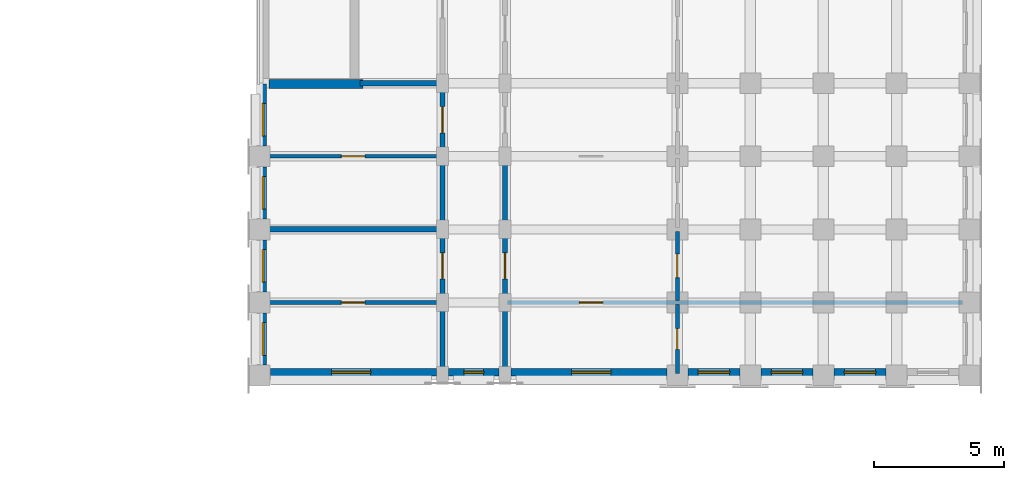
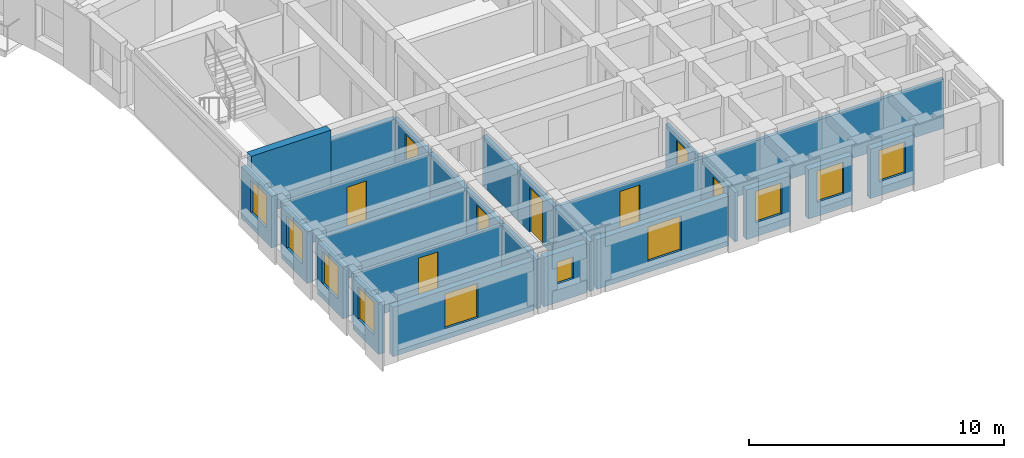
# One storey, part 31 of 54: 25 walls, 10 windows, 8 doors, 18 openings.
"""IFC4 building model written with IfcOpenShell, lengths in metres."""

from ifc_helpers import new_model, si_unit, direction, frame, frame_2d, origin, place, context, subcontext, project, spatial, rectangle, extrude, material, layer, layer_set, type_object, element, fill, save


model = new_model("IFC4")

# Units and contexts
model_context = context("Model", 3, precision=1e-05, world=origin(), true_north=direction((0.0, 1.0)))
body_context = subcontext(model_context, "Body", "Model", "MODEL_VIEW")
ifc_project = project(units=[si_unit("LENGTHUNIT", "METRE"), si_unit("AREAUNIT", "SQUARE_METRE"), si_unit("VOLUMEUNIT", "CUBIC_METRE"), si_unit("PLANEANGLEUNIT", "RADIAN"), si_unit("MASSUNIT", "GRAM", prefix="KILO")], contexts=[model_context])

# Site, building, storey
site_placement = place(None, origin())
site = spatial("IfcSite", under=ifc_project, at=site_placement, CompositionType="ELEMENT")
building_placement = place(site_placement, origin())
building = spatial("IfcBuilding", under=site, at=building_placement, Name="Kiranvali Square Residences", CompositionType="ELEMENT")
storey_placement = place(building_placement, frame((0.0, 0.0, 11.85009765625)))
storey = spatial("IfcBuildingStorey", under=building, at=storey_placement, Name="L03", CompositionType="ELEMENT", Elevation=11.85009765625)

# Wall, opening, door
ifc_material_1 = material(Name="Autoclaved aerated concrete blockwork masonry", Category="masonry")
ifc_layer_1 = layer(ifc_material_1, 0.199951171875)
ifc_layer_set_1 = layer_set([ifc_layer_1], Name="Autoclaved aerated concrete blockwork masonry")
wall_type_1 = type_object("IfcWallType", Name="WL-COR-200", PredefinedType="STANDARD", material=ifc_layer_set_1)
wall_1_placement = place(storey_placement, frame((145.60009765625, 79.39990234375, 0.0), z_axis=(0.0, 0.0, 1.0), x_axis=(0.0, -1.0, 0.0)))
wall_1 = element("IfcWall", 1, at=wall_1_placement, inside=storey, type_object=wall_type_1, Name="L03 architectural wall WL-L03-B-A2CI-0", PredefinedType="STANDARD", context=body_context, shape_type="SweptSolid", body=[
    extrude(rectangle(XDim=2.7998046875, YDim=0.199951171875, at=frame_2d((1.39990234375, 0.0))), origin(), (0.0, 0.0, 1.0), 2.371826171875),
])
opening_1_placement = place(wall_1_placement, frame((0.89990234375, 0.0, 0.0)))
opening_1 = element("IfcOpeningElement", 2, at=opening_1_placement, cuts=wall_1, Name="Opening FD-APT-60", PredefinedType="OPENING", context=body_context, shape_type="SweptSolid", body=[
    extrude(rectangle(XDim=1.0, YDim=2.14990234375, at=frame_2d((0.5, 1.074951171875))), frame((0.0, 0.10986328125, 0.0), z_axis=(0.0, -1.0, 0.0), x_axis=(1.0, 0.0, 0.0)), (0.0, 0.0, 1.0), 0.219970703125),
])
ifc_material_2 = material(Name="Fire-rated acoustic hardwood and mineral-core door assembly", Category="wood")
door_type_1 = type_object("IfcDoorType", Name="DR-APT-1000", OperationType="NOTDEFINED", PredefinedType="DOOR", material=ifc_material_2)
door_1_placement = place(opening_1_placement, origin())
door_1 = element("IfcDoor", 3, at=door_1_placement, inside=storey, type_object=door_type_1, Name="L03 door DR-L03-1183 (DR-APT-1000)", OperationType="SINGLE_SWING_LEFT", OverallHeight=2.14990234375, OverallWidth=1.0, PredefinedType="DOOR", context=body_context, shape_type="SweptSolid", body=[
    extrude(rectangle(XDim=1.0, YDim=2.14990234375, at=frame_2d((0.5, 1.074951171875))), frame((0.0, 0.02490234375, 0.0), z_axis=(0.0, -1.0, 0.0), x_axis=(1.0, 0.0, 0.0)), (0.0, 0.0, 1.0), 0.050048828125),
])
fill(opening_1, door_1)

# Walls
for number, where, z_axis, x_axis, name in (
    (4, (145.60009765625, 76.60009765625, 0.0), (0.0, 0.0, 1.0), (0.0, -1.0, 0.0), "L03 architectural wall WL-L03-B-A2CI-1"),
    (5, (148.0, 76.60009765625, 0.0), (0.0, 0.0, 1.0), (0.0, -1.0, 0.0), "L03 architectural wall WL-L03-B-A2CO-1"),
):
    element("IfcWall", number, at=place(storey_placement, frame(where, z_axis=z_axis, x_axis=x_axis)), inside=storey, type_object=wall_type_1, Name=name, PredefinedType="STANDARD", context=body_context, shape_type="SweptSolid", body=[
        extrude(rectangle(XDim=2.800048828125, YDim=0.199951171875, at=frame_2d((1.39990234375, 0.0))), origin(), (0.0, 0.0, 1.0), 2.371826171875),
    ])

# Wall, opening, door
wall_2_placement = place(storey_placement, frame((145.60009765625, 73.800048828125, 0.0), z_axis=(0.0, 0.0, 1.0), x_axis=(0.0, -1.0, 0.0)))
wall_2 = element("IfcWall", 6, at=wall_2_placement, inside=storey, type_object=wall_type_1, Name="L03 architectural wall WL-L03-B-A2CI-2", PredefinedType="STANDARD", context=body_context, shape_type="SweptSolid", body=[
    extrude(rectangle(XDim=2.800048828125, YDim=0.199951171875, at=frame_2d((1.39990234375, 0.0))), origin(), (0.0, 0.0, 1.0), 2.371826171875),
])
opening_2_placement = place(wall_2_placement, frame((0.89990234375, 0.0, 0.0)))
opening_2 = element("IfcOpeningElement", 7, at=opening_2_placement, cuts=wall_2, Name="Opening FD-APT-60", PredefinedType="OPENING", context=body_context, shape_type="SweptSolid", body=[
    extrude(rectangle(XDim=1.0, YDim=2.14990234375, at=frame_2d((0.5, 1.074951171875))), frame((0.0, 0.10986328125, 0.0), z_axis=(0.0, -1.0, 0.0), x_axis=(1.0, 0.0, 0.0)), (0.0, 0.0, 1.0), 0.219970703125),
])
door_2_placement = place(opening_2_placement, origin())
door_2 = element("IfcDoor", 8, at=door_2_placement, inside=storey, type_object=door_type_1, Name="L03 door DR-L03-1189 (DR-APT-1000)", OperationType="SINGLE_SWING_LEFT", OverallHeight=2.14990234375, OverallWidth=1.0, PredefinedType="DOOR", context=body_context, shape_type="SweptSolid", body=[
    extrude(rectangle(XDim=1.0, YDim=2.14990234375, at=frame_2d((0.5, 1.074951171875))), frame((0.0, 0.02490234375, 0.0), z_axis=(0.0, -1.0, 0.0), x_axis=(1.0, 0.0, 0.0)), (0.0, 0.0, 1.0), 0.050048828125),
])
fill(opening_2, door_2)

wall_3_placement = place(storey_placement, frame((148.0, 73.800048828125, 0.0), z_axis=(0.0, 0.0, 1.0), x_axis=(0.0, -1.0, 0.0)))
wall_3 = element("IfcWall", 9, at=wall_3_placement, inside=storey, type_object=wall_type_1, Name="L03 architectural wall WL-L03-B-A2CO-2", PredefinedType="STANDARD", context=body_context, shape_type="SweptSolid", body=[
    extrude(rectangle(XDim=2.800048828125, YDim=0.199951171875, at=frame_2d((1.39990234375, 0.0))), origin(), (0.0, 0.0, 1.0), 2.371826171875),
])
opening_3_placement = place(wall_3_placement, frame((0.89990234375, 0.0, 0.0)))
opening_3 = element("IfcOpeningElement", 10, at=opening_3_placement, cuts=wall_3, Name="Opening FD-APT-60", PredefinedType="OPENING", context=body_context, shape_type="SweptSolid", body=[
    extrude(rectangle(XDim=1.0, YDim=2.14990234375, at=frame_2d((0.5, 1.074951171875))), frame((0.0, 0.10986328125, 0.0), z_axis=(0.0, -1.0, 0.0), x_axis=(1.0, 0.0, 0.0)), (0.0, 0.0, 1.0), 0.219970703125),
])
door_3_placement = place(opening_3_placement, origin())
door_3 = element("IfcDoor", 11, at=door_3_placement, inside=storey, type_object=door_type_1, Name="L03 door DR-L03-1191 (DR-APT-1000)", OperationType="SINGLE_SWING_LEFT", OverallHeight=2.14990234375, OverallWidth=1.0, PredefinedType="DOOR", context=body_context, shape_type="SweptSolid", body=[
    extrude(rectangle(XDim=1.0, YDim=2.14990234375, at=frame_2d((0.5, 1.074951171875))), frame((0.0, 0.02490234375, 0.0), z_axis=(0.0, -1.0, 0.0), x_axis=(1.0, 0.0, 0.0)), (0.0, 0.0, 1.0), 0.050048828125),
])
fill(opening_3, door_3)

# Walls
for number, where, z_axis, x_axis, name in (
    (12, (145.60009765625, 71.0, 0.0), (0.0, 0.0, 1.0), (0.0, -1.0, 0.0), "L03 architectural wall WL-L03-B-A2CI-3"),
    (13, (148.0, 71.0, 0.0), (0.0, 0.0, 1.0), (0.0, -1.0, 0.0), "L03 architectural wall WL-L03-B-A2CO-3"),
):
    element("IfcWall", number, at=place(storey_placement, frame(where, z_axis=z_axis, x_axis=x_axis)), inside=storey, type_object=wall_type_1, Name=name, PredefinedType="STANDARD", context=body_context, shape_type="SweptSolid", body=[
        extrude(rectangle(XDim=2.800048828125, YDim=0.199951171875, at=frame_2d((1.39990234375, 0.0))), origin(), (0.0, 0.0, 1.0), 2.371826171875),
    ])
ifc_layer_2 = layer(ifc_material_1, 0.219970703125)
ifc_layer_set_2 = layer_set([ifc_layer_2], Name="Autoclaved aerated concrete blockwork masonry")
wall_type_2 = type_object("IfcWallType", Name="WL-DEM-220", PredefinedType="STANDARD", material=ifc_layer_set_2)
wall_4_placement = place(storey_placement, frame((142.449951171875, 79.39990234375, 0.0), z_axis=(0.0, 0.0, 1.0), x_axis=(1.0, 0.0, 0.0)))
element("IfcWall", 14, at=wall_4_placement, inside=storey, type_object=wall_type_2, Name="L03 architectural wall WL-L03-B-A2TI-0", PredefinedType="STANDARD", context=body_context, shape_type="SweptSolid", body=[
    extrude(rectangle(XDim=3.10009765625, YDim=0.219970703125, at=frame_2d((1.550048828125, 0.0))), origin(), (0.0, 0.0, 1.0), 2.371826171875),
])
wall_5_placement = place(storey_placement, frame((138.800048828125, 73.800048828125, 0.0), z_axis=(0.0, 0.0, 1.0), x_axis=(1.0, 0.0, 0.0)))
element("IfcWall", 15, at=wall_5_placement, inside=storey, type_object=wall_type_2, Name="L03 architectural wall WL-L03-B-A2TI-2", PredefinedType="STANDARD", context=body_context, shape_type="SweptSolid", body=[
    extrude(rectangle(XDim=6.75, YDim=0.219970703125, at=frame_2d((3.375, 0.0))), origin(), (0.0, 0.0, 1.0), 2.371826171875),
])

# Wall, opening, window
ifc_material_3 = material(Name="Breathable lime-rendered clay brick masonry", Category="masonry")
ifc_layer_3 = layer(ifc_material_3, 0.27490234375)
ifc_layer_set_3 = layer_set([ifc_layer_3], Name="Breathable lime-rendered clay brick masonry")
wall_type_3 = type_object("IfcWallType", Name="WL-EXT-275", PredefinedType="STANDARD", material=ifc_layer_set_3)
wall_6_placement = place(storey_placement, frame((138.72509765625, 79.37158203125, 0.0), z_axis=(0.0, 0.0, 1.0), x_axis=(0.0, -1.0, 0.0)))
wall_6 = element("IfcWall", 16, at=wall_6_placement, inside=storey, type_object=wall_type_3, Name="L03 exterior wall B-L03-A2I-0", PredefinedType="STANDARD", context=body_context, shape_type="SweptSolid", body=[
    extrude(rectangle(XDim=2.3681640625, YDim=0.27490234375, at=frame_2d((1.18408203125, 0.0))), origin(), (0.0, 0.0, 1.0), 2.471923828125),
])
opening_4_placement = place(wall_6_placement, frame((0.74658203125, 0.0, 0.721923828125)))
opening_4 = element("IfcOpeningElement", 17, at=opening_4_placement, cuts=wall_6, Name="Opening W-19", PredefinedType="OPENING", context=body_context, shape_type="SweptSolid", body=[
    extrude(rectangle(XDim=1.25, YDim=1.550048828125, at=frame_2d((0.625, 0.77490234375))), frame((0.0, 0.1474609375, 0.0), z_axis=(0.0, -1.0, 0.0), x_axis=(1.0, 0.0, 0.0)), (0.0, 0.0, 1.0), 0.294921875),
])
ifc_material_4 = material(Name="Solar-control low-e double glazing", Category="glass")
window_type_1 = type_object("IfcWindowType", Name="WIN-GDN-1250x1550", PartitioningType="SINGLE_PANEL", PredefinedType="WINDOW", material=ifc_material_4)
window_1_placement = place(opening_4_placement, origin())
window_1 = element("IfcWindow", 18, at=window_1_placement, inside=storey, type_object=window_type_1, Name="L03 recessed window B-L03-A2I-0", OverallHeight=1.550048828125, OverallWidth=1.25, PartitioningType="SINGLE_PANEL", PredefinedType="WINDOW", context=body_context, shape_type="SweptSolid", body=[
    extrude(rectangle(XDim=1.25, YDim=1.550048828125, at=frame_2d((0.625, 0.77490234375))), frame((0.0, 0.030029296875, 0.0), z_axis=(0.0, -1.0, 0.0), x_axis=(1.0, 0.0, 0.0)), (0.0, 0.0, 1.0), 0.06005859375),
])
fill(opening_4, window_1)

wall_7_placement = place(storey_placement, frame((138.72509765625, 76.196533203125, 0.0), z_axis=(0.0, 0.0, 1.0), x_axis=(0.0, -1.0, 0.0)))
wall_7 = element("IfcWall", 19, at=wall_7_placement, inside=storey, type_object=wall_type_3, Name="L03 exterior wall B-L03-A2I-1", PredefinedType="STANDARD", context=body_context, shape_type="SweptSolid", body=[
    extrude(rectangle(XDim=1.992919921875, YDim=0.27490234375, at=frame_2d((0.99658203125, 0.0))), origin(), (0.0, 0.0, 1.0), 2.471923828125),
])
opening_5_placement = place(wall_7_placement, frame((0.37158203125, 0.0, 0.721923828125)))
opening_5 = element("IfcOpeningElement", 20, at=opening_5_placement, cuts=wall_7, Name="Opening W-19", PredefinedType="OPENING", context=body_context, shape_type="SweptSolid", body=[
    extrude(rectangle(XDim=1.25, YDim=1.550048828125, at=frame_2d((0.625, 0.77490234375))), frame((0.0, 0.1474609375, 0.0), z_axis=(0.0, -1.0, 0.0), x_axis=(1.0, 0.0, 0.0)), (0.0, 0.0, 1.0), 0.294921875),
])
window_2_placement = place(opening_5_placement, origin())
window_2 = element("IfcWindow", 21, at=window_2_placement, inside=storey, type_object=window_type_1, Name="L03 recessed window B-L03-A2I-1", OverallHeight=1.550048828125, OverallWidth=1.25, PartitioningType="SINGLE_PANEL", PredefinedType="WINDOW", context=body_context, shape_type="SweptSolid", body=[
    extrude(rectangle(XDim=1.25, YDim=1.550048828125, at=frame_2d((0.625, 0.77490234375))), frame((0.0, 0.030029296875, 0.0), z_axis=(0.0, -1.0, 0.0), x_axis=(1.0, 0.0, 0.0)), (0.0, 0.0, 1.0), 0.06005859375),
])
fill(opening_5, window_2)

wall_8_placement = place(storey_placement, frame((138.72509765625, 73.396484375, 0.0), z_axis=(0.0, 0.0, 1.0), x_axis=(0.0, -1.0, 0.0)))
wall_8 = element("IfcWall", 22, at=wall_8_placement, inside=storey, type_object=wall_type_3, Name="L03 exterior wall B-L03-A2I-2", PredefinedType="STANDARD", context=body_context, shape_type="SweptSolid", body=[
    extrude(rectangle(XDim=1.992919921875, YDim=0.27490234375, at=frame_2d((0.99658203125, 0.0))), origin(), (0.0, 0.0, 1.0), 2.471923828125),
])
opening_6_placement = place(wall_8_placement, frame((0.37158203125, 0.0, 0.721923828125)))
opening_6 = element("IfcOpeningElement", 23, at=opening_6_placement, cuts=wall_8, Name="Opening W-19", PredefinedType="OPENING", context=body_context, shape_type="SweptSolid", body=[
    extrude(rectangle(XDim=1.25, YDim=1.550048828125, at=frame_2d((0.625, 0.77490234375))), frame((0.0, 0.1474609375, 0.0), z_axis=(0.0, -1.0, 0.0), x_axis=(1.0, 0.0, 0.0)), (0.0, 0.0, 1.0), 0.294921875),
])
window_3_placement = place(opening_6_placement, origin())
window_3 = element("IfcWindow", 24, at=window_3_placement, inside=storey, type_object=window_type_1, Name="L03 recessed window B-L03-A2I-2", OverallHeight=1.550048828125, OverallWidth=1.25, PartitioningType="SINGLE_PANEL", PredefinedType="WINDOW", context=body_context, shape_type="SweptSolid", body=[
    extrude(rectangle(XDim=1.25, YDim=1.550048828125, at=frame_2d((0.625, 0.77490234375))), frame((0.0, 0.030029296875, 0.0), z_axis=(0.0, -1.0, 0.0), x_axis=(1.0, 0.0, 0.0)), (0.0, 0.0, 1.0), 0.06005859375),
])
fill(opening_6, window_3)

wall_9_placement = place(storey_placement, frame((138.72509765625, 70.596435546875, 0.0), z_axis=(0.0, 0.0, 1.0), x_axis=(0.0, -1.0, 0.0)))
wall_9 = element("IfcWall", 25, at=wall_9_placement, inside=storey, type_object=wall_type_3, Name="L03 exterior wall B-L03-A2I-3", PredefinedType="STANDARD", context=body_context, shape_type="SweptSolid", body=[
    extrude(rectangle(XDim=1.992919921875, YDim=0.27490234375, at=frame_2d((0.99658203125, 0.0))), origin(), (0.0, 0.0, 1.0), 2.471923828125),
])
opening_7_placement = place(wall_9_placement, frame((0.37158203125, 0.0, 0.721923828125)))
opening_7 = element("IfcOpeningElement", 26, at=opening_7_placement, cuts=wall_9, Name="Opening W-19", PredefinedType="OPENING", context=body_context, shape_type="SweptSolid", body=[
    extrude(rectangle(XDim=1.25, YDim=1.550048828125, at=frame_2d((0.625, 0.77490234375))), frame((0.0, 0.1474609375, 0.0), z_axis=(0.0, -1.0, 0.0), x_axis=(1.0, 0.0, 0.0)), (0.0, 0.0, 1.0), 0.294921875),
])
window_4_placement = place(opening_7_placement, origin())
window_4 = element("IfcWindow", 27, at=window_4_placement, inside=storey, type_object=window_type_1, Name="L03 recessed window B-L03-A2I-3", OverallHeight=1.550048828125, OverallWidth=1.25, PartitioningType="SINGLE_PANEL", PredefinedType="WINDOW", context=body_context, shape_type="SweptSolid", body=[
    extrude(rectangle(XDim=1.25, YDim=1.550048828125, at=frame_2d((0.625, 0.77490234375))), frame((0.0, 0.030029296875, 0.0), z_axis=(0.0, -1.0, 0.0), x_axis=(1.0, 0.0, 0.0)), (0.0, 0.0, 1.0), 0.06005859375),
])
fill(opening_7, window_4)

wall_10_placement = place(storey_placement, frame((139.00341796875, 68.324951171875, 0.0), z_axis=(0.0, 0.0, 1.0), x_axis=(1.0, 0.0, 0.0)))
wall_10 = element("IfcWall", 28, at=wall_10_placement, inside=storey, type_object=wall_type_3, Name="L03 exterior wall B-L03-A2END-0", PredefinedType="STANDARD", context=body_context, shape_type="SweptSolid", body=[
    extrude(rectangle(XDim=6.3681640625, YDim=0.27490234375, at=frame_2d((3.18408203125, 0.0))), origin(), (0.0, 0.0, 1.0), 2.371826171875),
])
opening_8_placement = place(wall_10_placement, frame((2.346435546875, 0.0, 0.52197265625)))
opening_8 = element("IfcOpeningElement", 29, at=opening_8_placement, cuts=wall_10, Name="Opening W-05", PredefinedType="OPENING", context=body_context, shape_type="SweptSolid", body=[
    extrude(rectangle(XDim=1.5, YDim=1.64990234375, at=frame_2d((0.75, 0.824951171875))), frame((0.0, 0.1474609375, 0.0), z_axis=(0.0, -1.0, 0.0), x_axis=(1.0, 0.0, 0.0)), (0.0, 0.0, 1.0), 0.294921875),
])
window_type_2 = type_object("IfcWindowType", Name="WIN-RES-1500x1650", PartitioningType="DOUBLE_PANEL_VERTICAL", PredefinedType="WINDOW", material=ifc_material_4)
window_5_placement = place(opening_8_placement, origin())
window_5 = element("IfcWindow", 30, at=window_5_placement, inside=storey, type_object=window_type_2, Name="L03 recessed window B-L03-A2END-0", OverallHeight=1.64990234375, OverallWidth=1.5, PartitioningType="DOUBLE_PANEL_VERTICAL", PredefinedType="WINDOW", context=body_context, shape_type="SweptSolid", body=[
    extrude(rectangle(XDim=1.5, YDim=1.64990234375, at=frame_2d((0.75, 0.824951171875))), frame((0.0, 0.030029296875, 0.0), z_axis=(0.0, -1.0, 0.0), x_axis=(1.0, 0.0, 0.0)), (0.0, 0.0, 1.0), 0.06005859375),
])
fill(opening_8, window_5)

wall_11_placement = place(storey_placement, frame((145.82861328125, 68.324951171875, 0.0), z_axis=(0.0, 0.0, 1.0), x_axis=(1.0, 0.0, 0.0)))
wall_11 = element("IfcWall", 31, at=wall_11_placement, inside=storey, type_object=wall_type_3, Name="L03 exterior wall B-L03-A2END-1", PredefinedType="STANDARD", context=body_context, shape_type="SweptSolid", body=[
    extrude(rectangle(XDim=1.94287109375, YDim=0.27490234375, at=frame_2d((0.971435546875, 0.0))), origin(), (0.0, 0.0, 1.0), 2.371826171875),
])
opening_9_placement = place(wall_11_placement, frame((0.596435546875, 0.0, 0.8798828125)))
opening_9 = element("IfcOpeningElement", 32, at=opening_9_placement, cuts=wall_11, Name="Opening W-07", PredefinedType="OPENING", context=body_context, shape_type="SweptSolid", body=[
    extrude(rectangle(XDim=0.75, YDim=1.050048828125, at=frame_2d((0.375, 0.52490234375))), frame((0.0, 0.1474609375, 0.0), z_axis=(0.0, -1.0, 0.0), x_axis=(1.0, 0.0, 0.0)), (0.0, 0.0, 1.0), 0.294921875),
])
window_type_3 = type_object("IfcWindowType", Name="WIN-WET-750x1050", PartitioningType="SINGLE_PANEL", PredefinedType="WINDOW", material=ifc_material_4)
window_6_placement = place(opening_9_placement, origin())
window_6 = element("IfcWindow", 33, at=window_6_placement, inside=storey, type_object=window_type_3, Name="L03 recessed window B-L03-A2END-1", OverallHeight=1.050048828125, OverallWidth=0.75, PartitioningType="SINGLE_PANEL", PredefinedType="WINDOW", context=body_context, shape_type="SweptSolid", body=[
    extrude(rectangle(XDim=0.75, YDim=1.050048828125, at=frame_2d((0.375, 0.52490234375))), frame((0.0, 0.030029296875, 0.0), z_axis=(0.0, -1.0, 0.0), x_axis=(1.0, 0.0, 0.0)), (0.0, 0.0, 1.0), 0.06005859375),
])
fill(opening_9, window_6)

wall_12_placement = place(storey_placement, frame((148.228515625, 68.324951171875, 0.0), z_axis=(0.0, 0.0, 1.0), x_axis=(1.0, 0.0, 0.0)))
wall_12 = element("IfcWall", 34, at=wall_12_placement, inside=storey, type_object=wall_type_3, Name="L03 exterior wall B-L03-A2END-2", PredefinedType="STANDARD", context=body_context, shape_type="SweptSolid", body=[
    extrude(rectangle(XDim=5.968017578125, YDim=0.27490234375, at=frame_2d((2.98388671875, 0.0))), origin(), (0.0, 0.0, 1.0), 2.371826171875),
])
opening_10_placement = place(wall_12_placement, frame((2.321533203125, 0.0, 0.52197265625)))
opening_10 = element("IfcOpeningElement", 35, at=opening_10_placement, cuts=wall_12, Name="Opening W-05", PredefinedType="OPENING", context=body_context, shape_type="SweptSolid", body=[
    extrude(rectangle(XDim=1.5, YDim=1.64990234375, at=frame_2d((0.75, 0.824951171875))), frame((0.0, 0.1474609375, 0.0), z_axis=(0.0, -1.0, 0.0), x_axis=(1.0, 0.0, 0.0)), (0.0, 0.0, 1.0), 0.294921875),
])
window_7_placement = place(opening_10_placement, origin())
window_7 = element("IfcWindow", 36, at=window_7_placement, inside=storey, type_object=window_type_2, Name="L03 recessed window B-L03-A2END-2", OverallHeight=1.64990234375, OverallWidth=1.5, PartitioningType="DOUBLE_PANEL_VERTICAL", PredefinedType="WINDOW", context=body_context, shape_type="SweptSolid", body=[
    extrude(rectangle(XDim=1.5, YDim=1.64990234375, at=frame_2d((0.75, 0.824951171875))), frame((0.0, 0.030029296875, 0.0), z_axis=(0.0, -1.0, 0.0), x_axis=(1.0, 0.0, 0.0)), (0.0, 0.0, 1.0), 0.06005859375),
])
fill(opening_10, window_7)

wall_13_placement = place(storey_placement, frame((155.00341796875, 68.324951171875, 0.0), z_axis=(0.0, 0.0, 1.0), x_axis=(1.0, 0.0, 0.0)))
wall_13 = element("IfcWall", 37, at=wall_13_placement, inside=storey, type_object=wall_type_3, Name="L03 exterior wall B-L03-A2END-3", PredefinedType="STANDARD", context=body_context, shape_type="SweptSolid", body=[
    extrude(rectangle(XDim=1.9931640625, YDim=0.27490234375, at=frame_2d((0.99658203125, 0.0))), origin(), (0.0, 0.0, 1.0), 2.371826171875),
])
opening_11_placement = place(wall_13_placement, frame((0.396484375, 0.0, 0.672119140625)))
opening_11 = element("IfcOpeningElement", 38, at=opening_11_placement, cuts=wall_13, Name="Opening W-06", PredefinedType="OPENING", context=body_context, shape_type="SweptSolid", body=[
    extrude(rectangle(XDim=1.199951171875, YDim=1.5, at=frame_2d((0.60009765625, 0.75))), frame((0.0, 0.1474609375, 0.0), z_axis=(0.0, -1.0, 0.0), x_axis=(1.0, 0.0, 0.0)), (0.0, 0.0, 1.0), 0.294921875),
])
window_type_4 = type_object("IfcWindowType", Name="WIN-RES-1200x1500", PartitioningType="SINGLE_PANEL", PredefinedType="WINDOW", material=ifc_material_4)
window_8_placement = place(opening_11_placement, origin())
window_8 = element("IfcWindow", 39, at=window_8_placement, inside=storey, type_object=window_type_4, Name="L03 recessed window B-L03-A2END-3", OverallHeight=1.5, OverallWidth=1.199951171875, PartitioningType="SINGLE_PANEL", PredefinedType="WINDOW", context=body_context, shape_type="SweptSolid", body=[
    extrude(rectangle(XDim=1.199951171875, YDim=1.5, at=frame_2d((0.60009765625, 0.75))), frame((0.0, 0.030029296875, 0.0), z_axis=(0.0, -1.0, 0.0), x_axis=(1.0, 0.0, 0.0)), (0.0, 0.0, 1.0), 0.06005859375),
])
fill(opening_11, window_8)

wall_14_placement = place(storey_placement, frame((157.803466796875, 68.324951171875, 0.0), z_axis=(0.0, 0.0, 1.0), x_axis=(1.0, 0.0, 0.0)))
wall_14 = element("IfcWall", 40, at=wall_14_placement, inside=storey, type_object=wall_type_3, Name="L03 exterior wall B-L03-A2END-4", PredefinedType="STANDARD", context=body_context, shape_type="SweptSolid", body=[
    extrude(rectangle(XDim=1.992919921875, YDim=0.27490234375, at=frame_2d((0.99658203125, 0.0))), origin(), (0.0, 0.0, 1.0), 2.371826171875),
])
opening_12_placement = place(wall_14_placement, frame((0.396484375, 0.0, 0.672119140625)))
opening_12 = element("IfcOpeningElement", 41, at=opening_12_placement, cuts=wall_14, Name="Opening W-06", PredefinedType="OPENING", context=body_context, shape_type="SweptSolid", body=[
    extrude(rectangle(XDim=1.199951171875, YDim=1.5, at=frame_2d((0.60009765625, 0.75))), frame((0.0, 0.1474609375, 0.0), z_axis=(0.0, -1.0, 0.0), x_axis=(1.0, 0.0, 0.0)), (0.0, 0.0, 1.0), 0.294921875),
])
window_9_placement = place(opening_12_placement, origin())
window_9 = element("IfcWindow", 42, at=window_9_placement, inside=storey, type_object=window_type_4, Name="L03 recessed window B-L03-A2END-4", OverallHeight=1.5, OverallWidth=1.199951171875, PartitioningType="SINGLE_PANEL", PredefinedType="WINDOW", context=body_context, shape_type="SweptSolid", body=[
    extrude(rectangle(XDim=1.199951171875, YDim=1.5, at=frame_2d((0.60009765625, 0.75))), frame((0.0, 0.030029296875, 0.0), z_axis=(0.0, -1.0, 0.0), x_axis=(1.0, 0.0, 0.0)), (0.0, 0.0, 1.0), 0.06005859375),
])
fill(opening_12, window_9)

wall_15_placement = place(storey_placement, frame((160.603515625, 68.324951171875, 0.0), z_axis=(0.0, 0.0, 1.0), x_axis=(1.0, 0.0, 0.0)))
wall_15 = element("IfcWall", 43, at=wall_15_placement, inside=storey, type_object=wall_type_3, Name="L03 exterior wall B-L03-A2END-5", PredefinedType="STANDARD", context=body_context, shape_type="SweptSolid", body=[
    extrude(rectangle(XDim=1.992919921875, YDim=0.27490234375, at=frame_2d((0.99658203125, 0.0))), origin(), (0.0, 0.0, 1.0), 2.371826171875),
])
opening_13_placement = place(wall_15_placement, frame((0.396484375, 0.0, 0.672119140625)))
opening_13 = element("IfcOpeningElement", 44, at=opening_13_placement, cuts=wall_15, Name="Opening W-06", PredefinedType="OPENING", context=body_context, shape_type="SweptSolid", body=[
    extrude(rectangle(XDim=1.199951171875, YDim=1.5, at=frame_2d((0.60009765625, 0.75))), frame((0.0, 0.1474609375, 0.0), z_axis=(0.0, -1.0, 0.0), x_axis=(1.0, 0.0, 0.0)), (0.0, 0.0, 1.0), 0.294921875),
])
window_10_placement = place(opening_13_placement, origin())
window_10 = element("IfcWindow", 45, at=window_10_placement, inside=storey, type_object=window_type_4, Name="L03 recessed window B-L03-A2END-5", OverallHeight=1.5, OverallWidth=1.199951171875, PartitioningType="SINGLE_PANEL", PredefinedType="WINDOW", context=body_context, shape_type="SweptSolid", body=[
    extrude(rectangle(XDim=1.199951171875, YDim=1.5, at=frame_2d((0.60009765625, 0.75))), frame((0.0, 0.030029296875, 0.0), z_axis=(0.0, -1.0, 0.0), x_axis=(1.0, 0.0, 0.0)), (0.0, 0.0, 1.0), 0.06005859375),
])
fill(opening_13, window_10)

# Wall, opening, door
ifc_material_5 = material(Name="Acoustic gypsum board drylined partition", Category="gypsum")
ifc_layer_4 = layer(ifc_material_5, 0.14990234375)
ifc_layer_set_4 = layer_set([ifc_layer_4], Name="Acoustic gypsum board drylined partition")
wall_type_4 = type_object("IfcWallType", Name="WL-PRT-150", PredefinedType="PARTITIONING", material=ifc_layer_set_4)
wall_16_placement = place(storey_placement, frame((138.800048828125, 76.60009765625, 0.0), z_axis=(0.0, 0.0, 1.0), x_axis=(1.0, 0.0, 0.0)))
wall_16 = element("IfcWall", 46, at=wall_16_placement, inside=storey, type_object=wall_type_4, Name="L03 architectural wall WL-L03-B-A2TI-1", PredefinedType="PARTITIONING", context=body_context, shape_type="SweptSolid", body=[
    extrude(rectangle(XDim=6.75, YDim=0.14990234375, at=frame_2d((3.375, 0.0))), origin(), (0.0, 0.0, 1.0), 2.371826171875),
])
opening_14_placement = place(wall_16_placement, frame((2.925048828125, 0.0, 0.0)))
opening_14 = element("IfcOpeningElement", 47, at=opening_14_placement, cuts=wall_16, Name="Opening ID-1", PredefinedType="OPENING", context=body_context, shape_type="SweptSolid", body=[
    extrude(rectangle(XDim=0.89990234375, YDim=2.10009765625, at=frame_2d((0.449951171875, 1.050048828125))), frame((0.0, 0.0849609375, 0.0), z_axis=(0.0, -1.0, 0.0), x_axis=(1.0, 0.0, 0.0)), (0.0, 0.0, 1.0), 0.169921875),
])
ifc_material_6 = material(Name="Solid seasoned teak hardwood joinery", Category="wood")
door_type_2 = type_object("IfcDoorType", Name="DR-INT-900", OperationType="NOTDEFINED", PredefinedType="DOOR", material=ifc_material_6)
door_4_placement = place(opening_14_placement, origin())
door_4 = element("IfcDoor", 48, at=door_4_placement, inside=storey, type_object=door_type_2, Name="L03 door DR-L03-1187 (DR-INT-900)", OperationType="SINGLE_SWING_LEFT", OverallHeight=2.10009765625, OverallWidth=0.89990234375, PredefinedType="DOOR", context=body_context, shape_type="SweptSolid", body=[
    extrude(rectangle(XDim=0.89990234375, YDim=2.10009765625, at=frame_2d((0.449951171875, 1.050048828125))), frame((0.0, 0.02490234375, 0.0), z_axis=(0.0, -1.0, 0.0), x_axis=(1.0, 0.0, 0.0)), (0.0, 0.0, 1.0), 0.050048828125),
])
fill(opening_14, door_4)

wall_17_placement = place(storey_placement, frame((138.800048828125, 71.0, 0.0), z_axis=(0.0, 0.0, 1.0), x_axis=(1.0, 0.0, 0.0)))
wall_17 = element("IfcWall", 49, at=wall_17_placement, inside=storey, type_object=wall_type_4, Name="L03 architectural wall WL-L03-B-A2TI-3", PredefinedType="PARTITIONING", context=body_context, shape_type="SweptSolid", body=[
    extrude(rectangle(XDim=6.75, YDim=0.14990234375, at=frame_2d((3.375, 0.0))), origin(), (0.0, 0.0, 1.0), 2.371826171875),
])
opening_15_placement = place(wall_17_placement, frame((2.925048828125, 0.0, 0.0)))
opening_15 = element("IfcOpeningElement", 50, at=opening_15_placement, cuts=wall_17, Name="Opening ID-1", PredefinedType="OPENING", context=body_context, shape_type="SweptSolid", body=[
    extrude(rectangle(XDim=0.89990234375, YDim=2.10009765625, at=frame_2d((0.449951171875, 1.050048828125))), frame((0.0, 0.0849609375, 0.0), z_axis=(0.0, -1.0, 0.0), x_axis=(1.0, 0.0, 0.0)), (0.0, 0.0, 1.0), 0.169921875),
])
door_5_placement = place(opening_15_placement, origin())
door_5 = element("IfcDoor", 51, at=door_5_placement, inside=storey, type_object=door_type_2, Name="L03 door DR-L03-1193 (DR-INT-900)", OperationType="SINGLE_SWING_LEFT", OverallHeight=2.10009765625, OverallWidth=0.89990234375, PredefinedType="DOOR", context=body_context, shape_type="SweptSolid", body=[
    extrude(rectangle(XDim=0.89990234375, YDim=2.10009765625, at=frame_2d((0.449951171875, 1.050048828125))), frame((0.0, 0.02490234375, 0.0), z_axis=(0.0, -1.0, 0.0), x_axis=(1.0, 0.0, 0.0)), (0.0, 0.0, 1.0), 0.050048828125),
])
fill(opening_15, door_5)

wall_18_placement = place(storey_placement, frame((148.10009765625, 71.0, 0.0), z_axis=(0.0, 0.0, 1.0), x_axis=(1.0, 0.0, 0.0)))
wall_18 = element("IfcWall", 52, at=wall_18_placement, inside=storey, type_object=wall_type_4, Name="L03 architectural wall WL-L03-B-A2TO-3", PredefinedType="PARTITIONING", context=body_context, shape_type="SweptSolid", body=[
    extrude(rectangle(XDim=17.419921875, YDim=0.14990234375, at=frame_2d((8.7099609375, 0.0))), origin(), (0.0, 0.0, 1.0), 2.371826171875),
])
opening_16_placement = place(wall_18_placement, frame((2.75, 0.0, 0.0)))
opening_16 = element("IfcOpeningElement", 53, at=opening_16_placement, cuts=wall_18, Name="Opening ID-1", PredefinedType="OPENING", context=body_context, shape_type="SweptSolid", body=[
    extrude(rectangle(XDim=0.89990234375, YDim=2.10009765625, at=frame_2d((0.449951171875, 1.050048828125))), frame((0.0, 0.0849609375, 0.0), z_axis=(0.0, -1.0, 0.0), x_axis=(1.0, 0.0, 0.0)), (0.0, 0.0, 1.0), 0.169921875),
])
door_6_placement = place(opening_16_placement, frame((0.89990234375, 0.0, 0.0), z_axis=(0.0, 0.0, 1.0), x_axis=(-1.0, 0.0, 0.0)))
door_6 = element("IfcDoor", 54, at=door_6_placement, inside=storey, type_object=door_type_2, Name="L03 door DR-L03-1194 (DR-INT-900)", OperationType="SINGLE_SWING_RIGHT", OverallHeight=2.10009765625, OverallWidth=0.89990234375, PredefinedType="DOOR", context=body_context, shape_type="SweptSolid", body=[
    extrude(rectangle(XDim=0.89990234375, YDim=2.10009765625, at=frame_2d((0.449951171875, 1.050048828125))), frame((0.0, 0.02490234375, 0.0), z_axis=(0.0, -1.0, 0.0), x_axis=(1.0, 0.0, 0.0)), (0.0, 0.0, 1.0), 0.050048828125),
])
fill(opening_16, door_6)

# Wall
ifc_material_7 = material(Name="Concrete M50 (50 MPa)", Category="concrete")
ifc_layer_5 = layer(ifc_material_7, 0.35009765625)
ifc_layer_set_5 = layer_set([ifc_layer_5], Name="Concrete M50 (50 MPa)")
wall_type_5 = type_object("IfcWallType", Name="WL-SHR-350", PredefinedType="SHEAR", material=ifc_layer_set_5)
wall_19_placement = place(storey_placement, frame((138.949951171875, 79.375, 0.0), z_axis=(0.0, 0.0, 1.0), x_axis=(1.0, 0.0, 0.0)))
element("IfcWall", 55, at=wall_19_placement, inside=storey, type_object=wall_type_5, Name="Block B core shear wall SW-B3-FAR-L03", PredefinedType="SHEAR", context=body_context, shape_type="SweptSolid", body=[
    extrude(rectangle(XDim=3.60009765625, YDim=0.35009765625, at=frame_2d((1.800048828125, 0.0))), origin(), (0.0, 0.0, 1.0), 2.929931640625),
])

# Wall, opening, door
ifc_layer_6 = layer(ifc_material_1, 0.14990234375)
ifc_layer_set_6 = layer_set([ifc_layer_6], Name="Autoclaved aerated concrete blockwork masonry")
wall_type_6 = type_object("IfcWallType", Name="WL-WET-150", PredefinedType="PLUMBINGWALL", material=ifc_layer_set_6)
wall_20_placement = place(storey_placement, frame((154.60009765625, 73.719970703125, 0.0), z_axis=(0.0, 0.0, 1.0), x_axis=(0.0, -1.0, 0.0)))
wall_20 = element("IfcWall", 56, at=wall_20_placement, inside=storey, type_object=wall_type_6, Name="L03 architectural wall WL-L03-B-A2SP-2", PredefinedType="PLUMBINGWALL", context=body_context, shape_type="SweptSolid", body=[
    extrude(rectangle(XDim=2.639892578125, YDim=0.14990234375, at=frame_2d((1.31982421875, 0.0))), origin(), (0.0, 0.0, 1.0), 2.371826171875),
])
opening_17_placement = place(wall_20_placement, frame((0.8701171875, 0.0, 0.0)))
opening_17 = element("IfcOpeningElement", 57, at=opening_17_placement, cuts=wall_20, Name="Opening ID-1", PredefinedType="OPENING", context=body_context, shape_type="SweptSolid", body=[
    extrude(rectangle(XDim=0.89990234375, YDim=2.10009765625, at=frame_2d((0.449951171875, 1.050048828125))), frame((0.0, 0.0849609375, 0.0), z_axis=(0.0, -1.0, 0.0), x_axis=(1.0, 0.0, 0.0)), (0.0, 0.0, 1.0), 0.169921875),
])
door_7_placement = place(opening_17_placement, frame((0.89990234375, 0.0, 0.0), z_axis=(0.0, 0.0, 1.0), x_axis=(-1.0, 0.0, 0.0)))
door_7 = element("IfcDoor", 58, at=door_7_placement, inside=storey, type_object=door_type_2, Name="L03 door DR-L03-1190 (DR-INT-900)", OperationType="SINGLE_SWING_RIGHT", OverallHeight=2.10009765625, OverallWidth=0.89990234375, PredefinedType="DOOR", context=body_context, shape_type="SweptSolid", body=[
    extrude(rectangle(XDim=0.89990234375, YDim=2.10009765625, at=frame_2d((0.449951171875, 1.050048828125))), frame((0.0, 0.02490234375, 0.0), z_axis=(0.0, -1.0, 0.0), x_axis=(1.0, 0.0, 0.0)), (0.0, 0.0, 1.0), 0.050048828125),
])
fill(opening_17, door_7)

wall_21_placement = place(storey_placement, frame((154.60009765625, 70.919921875, 0.0), z_axis=(0.0, 0.0, 1.0), x_axis=(0.0, -1.0, 0.0)))
wall_21 = element("IfcWall", 59, at=wall_21_placement, inside=storey, type_object=wall_type_6, Name="L03 architectural wall WL-L03-B-A2SP-3", PredefinedType="PLUMBINGWALL", context=body_context, shape_type="SweptSolid", body=[
    extrude(rectangle(XDim=2.639892578125, YDim=0.14990234375, at=frame_2d((1.31982421875, 0.0))), origin(), (0.0, 0.0, 1.0), 2.371826171875),
])
opening_18_placement = place(wall_21_placement, frame((0.919921875, 0.0, 0.0)))
opening_18 = element("IfcOpeningElement", 60, at=opening_18_placement, cuts=wall_21, Name="Opening ID-WET", PredefinedType="OPENING", context=body_context, shape_type="SweptSolid", body=[
    extrude(rectangle(XDim=0.800048828125, YDim=2.10009765625, at=frame_2d((0.39990234375, 1.050048828125))), frame((0.0, 0.0849609375, 0.0), z_axis=(0.0, -1.0, 0.0), x_axis=(1.0, 0.0, 0.0)), (0.0, 0.0, 1.0), 0.169921875),
])
door_type_3 = type_object("IfcDoorType", Name="DR-WET-800", OperationType="NOTDEFINED", PredefinedType="DOOR", material=ifc_material_6)
door_8_placement = place(opening_18_placement, frame((0.800048828125, 0.0, 0.0), z_axis=(0.0, 0.0, 1.0), x_axis=(-1.0, 0.0, 0.0)))
door_8 = element("IfcDoor", 61, at=door_8_placement, inside=storey, type_object=door_type_3, Name="L03 door DR-L03-1192 (DR-WET-800)", OperationType="SINGLE_SWING_RIGHT", OverallHeight=2.10009765625, OverallWidth=0.800048828125, PredefinedType="DOOR", context=body_context, shape_type="SweptSolid", body=[
    extrude(rectangle(XDim=0.800048828125, YDim=2.10009765625, at=frame_2d((0.39990234375, 1.050048828125))), frame((0.0, 0.02490234375, 0.0), z_axis=(0.0, -1.0, 0.0), x_axis=(1.0, 0.0, 0.0)), (0.0, 0.0, 1.0), 0.050048828125),
])
fill(opening_18, door_8)

save(model, "model.ifc")
